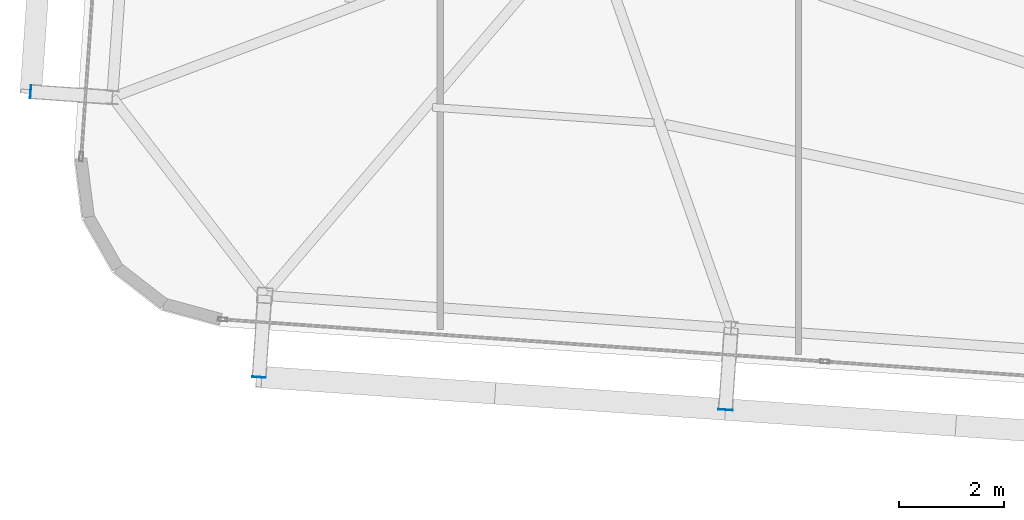
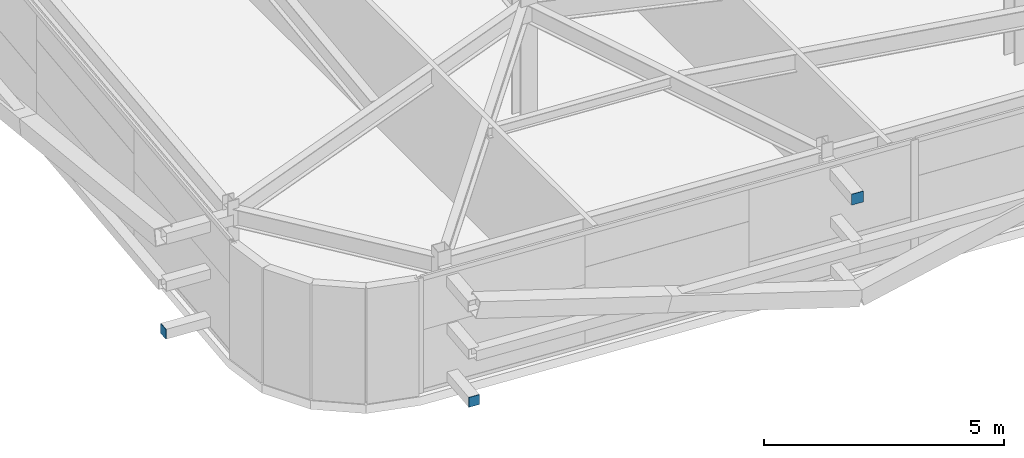
# One storey, part 27 of 39: 3 plates.
"""IFC4 building model written with IfcOpenShell, lengths in metres."""

import ifcopenshell
import ifcopenshell.guid

model = None  # the IFC model being written
_history = None  # IfcOwnerHistory: only IFC2X3 demands one
_inside = {}  # id of a spatial element -> (the spatial element, [elements in it])
_under = {}  # id of a project, library or spatial element -> (it, [spatial elements below it])
_declared = {}  # id of a project -> (the project, [libraries it declares])
_typed = {}  # id of a type object -> (the type object, [elements of that type])
_made_of = {}  # id of a material, layer set ... -> (it, [elements and type objects made of it])


def new_model(schema):
    """Start an empty IFC model of exactly this schema.

    Asked for "IFC4X3", IfcOpenShell would pick the latest addendum, in which some entities
    have other attributes; the version numbers below select the first issue.
    IFC2X3 requires an IfcOwnerHistory on every rooted entity: one is made here for all.
    """
    global model, _history
    if schema == "IFC4X3":
        model = ifcopenshell.file(schema_version=(4, 3, 0, 0))
    else:
        model = ifcopenshell.file(schema=schema)
    _inside.clear()
    _under.clear()
    _declared.clear()
    _typed.clear()
    _made_of.clear()
    _history = None
    if model.schema == "IFC2X3":
        org = make("IfcOrganization", Name="unknown")
        user = make(
            "IfcPersonAndOrganization",
            ThePerson=make("IfcPerson", FamilyName="unknown"),
            TheOrganization=org,
        )
        app = make(
            "IfcApplication",
            ApplicationDeveloper=org,
            Version="unknown",
            ApplicationFullName="unknown",
            ApplicationIdentifier="unknown",
        )
        _history = make(
            "IfcOwnerHistory",
            OwningUser=user,
            OwningApplication=app,
            ChangeAction="ADDED",
            CreationDate=0,
        )
    return model


def make(cls, **values):
    """One entity of the class cls with the attributes given. An attribute that is None is left unset."""
    return model.create_entity(
        cls, **{name: value for name, value in values.items() if value is not None}
    )


def rooted(cls, **values):
    """An entity with a GlobalId (a new one), such as an element, a storey or a relation."""
    return make(cls, GlobalId=ifcopenshell.guid.new(), OwnerHistory=_history, **values)


def si_unit(unit_type, name, prefix=None):
    """IfcSIUnit, for example si_unit("LENGTHUNIT", "METRE", prefix="MILLI")."""
    return make("IfcSIUnit", UnitType=unit_type, Prefix=prefix, Name=name)


def assignment(units):
    """IfcUnitAssignment: the units of a project."""
    return None if units is None else make("IfcUnitAssignment", Units=units)


def point(xyz):
    """IfcCartesianPoint."""
    return None if xyz is None else make("IfcCartesianPoint", Coordinates=xyz)


def direction(xyz):
    """IfcDirection."""
    return None if xyz is None else make("IfcDirection", DirectionRatios=xyz)


def frame(location, z_axis=None, x_axis=None):
    """IfcAxis2Placement3D, a coordinate frame: its origin and axes. An axis left out is left unset."""
    return make(
        "IfcAxis2Placement3D",
        Location=point(location),
        Axis=direction(z_axis),
        RefDirection=direction(x_axis),
    )


def frame_2d(location, x_axis=None):
    """IfcAxis2Placement2D, a coordinate frame in the plane: its origin and x axis."""
    return make(
        "IfcAxis2Placement2D", Location=point(location), RefDirection=direction(x_axis)
    )


def origin():
    """The frame at (0, 0, 0) with its axes left unset."""
    return frame((0.0, 0.0, 0.0))


def origin_2d():
    """The frame at (0, 0) in the plane with its x axis left unset."""
    return frame_2d((0.0, 0.0))


def place(relative_to, where):
    """IfcLocalPlacement: puts the frame where relative to a parent placement (None: the world)."""
    return make(
        "IfcLocalPlacement", PlacementRelTo=relative_to, RelativePlacement=where
    )


def context(
    kind, dimensions, precision=None, world=None, true_north=None, identifier=None
):
    """IfcGeometricRepresentationContext, for example the 3D "Model" context."""
    return make(
        "IfcGeometricRepresentationContext",
        ContextIdentifier=identifier,
        ContextType=kind,
        CoordinateSpaceDimension=dimensions,
        Precision=precision,
        WorldCoordinateSystem=world,
        TrueNorth=true_north,
    )


def subcontext(parent, identifier, kind, view, scale=None):
    """IfcGeometricRepresentationSubContext, for example "Body" below "Model"."""
    return make(
        "IfcGeometricRepresentationSubContext",
        ContextIdentifier=identifier,
        ContextType=kind,
        ParentContext=parent,
        TargetScale=scale,
        TargetView=view,
    )


def project(units=None, contexts=None):
    """IfcProject with its units and contexts."""
    return rooted(
        "IfcProject",
        Name="project",
        RepresentationContexts=contexts,
        UnitsInContext=assignment(units),
    )


def spatial(cls, under=None, at=None, **own):
    """A site, building, storey or space (cls), placed at a placement, below another one or the project."""
    s = rooted(cls, ObjectPlacement=at, **own)
    if under is not None:
        _under.setdefault(under.id(), (under, []))[1].append(s)
    return s


def profile(cls, at=None, kind="AREA", **sizes):
    """A parametric profile (cls). Its sizes go by their IFC names, for example OverallWidth=200.0."""
    return make(cls, ProfileType=kind, Position=at, **sizes)


def rectangle(**sizes):
    """IfcRectangleProfileDef."""
    return profile("IfcRectangleProfileDef", **sizes)


def extrude(swept, where, along, depth):
    """IfcExtrudedAreaSolid: the profile swept, set in the frame where, extruded along a direction by depth."""
    return make(
        "IfcExtrudedAreaSolid",
        SweptArea=swept,
        Position=where,
        ExtrudedDirection=direction(along),
        Depth=depth,
    )


def shape(context_of_items, identifier, shape_type, items):
    """IfcShapeRepresentation: the items that make up one representation, for example the "Body"."""
    return make(
        "IfcShapeRepresentation",
        ContextOfItems=context_of_items,
        RepresentationIdentifier=identifier,
        RepresentationType=shape_type,
        Items=items,
    )


def source(mapping_origin, context_of_items, identifier, shape_type, items):
    """IfcRepresentationMap: a shape defined once, which mapped items show again and again."""
    return make(
        "IfcRepresentationMap",
        MappingOrigin=mapping_origin,
        MappedRepresentation=shape(context_of_items, identifier, shape_type, items),
    )


def transform(
    local_origin,
    x_axis=None,
    y_axis=None,
    z_axis=None,
    scale=None,
    scale2=None,
    scale3=None,
    uniform=True,
):
    """IfcCartesianTransformationOperator3D, or its non-uniform kind. x_axis, y_axis, z_axis: its Axis1, 2, 3."""
    if uniform:
        return make(
            "IfcCartesianTransformationOperator3D",
            Axis1=direction(x_axis),
            Axis2=direction(y_axis),
            LocalOrigin=point(local_origin),
            Scale=scale,
            Axis3=direction(z_axis),
        )
    return make(
        "IfcCartesianTransformationOperator3DnonUniform",
        Axis1=direction(x_axis),
        Axis2=direction(y_axis),
        LocalOrigin=point(local_origin),
        Scale=scale,
        Axis3=direction(z_axis),
        Scale2=scale2,
        Scale3=scale3,
    )


def mapped(mapping_source, mapping_target):
    """IfcMappedItem: shows the shape of a source again, moved by a transform."""
    return make(
        "IfcMappedItem", MappingSource=mapping_source, MappingTarget=mapping_target
    )


def material(Name=None, Category=None):
    """IfcMaterial."""
    return make("IfcMaterial", Name=Name, Category=Category)


def layer(
    of_material, thickness, ventilated=None, Name=None, Category=None, Priority=None
):
    """IfcMaterialLayer: one layer of a wall or slab, of a material (None: an air gap)."""
    return make(
        "IfcMaterialLayer",
        Material=of_material,
        LayerThickness=thickness,
        IsVentilated=ventilated,
        Name=Name,
        Category=Category,
        Priority=Priority,
    )


def layer_set(layers, Name=None):
    """IfcMaterialLayerSet."""
    return make("IfcMaterialLayerSet", MaterialLayers=layers, LayerSetName=Name)


def made_of(thing, what):
    """Note that an element or type object is made of a material, layer set ...; save() writes the relation."""
    if what is not None:
        _made_of.setdefault(what.id(), (what, []))[1].append(thing)
    return thing


def type_object(cls, material=None, **own):
    """A type object (cls), such as IfcWallType, which elements share."""
    return made_of(rooted(cls, **own), material)


def element(
    cls,
    number,
    at=None,
    inside=None,
    cuts=None,
    type_object=None,
    material=None,
    context=None,
    identifier="Body",
    shape_type=None,
    held_by="IfcProductDefinitionShape",
    body=None,
    shapes=None,
    **own,
):
    """One element of the class cls, such as IfcWall. Its Tag is "e" and its number.

    at: its placement. inside: the storey or other place that contains it. cuts: it is an
    opening in that element (IfcRelVoidsElement). A single representation is given by context,
    identifier, shape_type and body (its items); several are given by shapes. held_by: the class
    of the entity that holds the representations. save() writes the other relations.
    """
    e = rooted(cls, Tag="e%d" % number, ObjectPlacement=at, **own)
    if body is not None:
        shapes = [shape(context, identifier, shape_type, body)]
    if shapes is not None:
        e.Representation = make(held_by, Representations=shapes)
    if inside is not None:
        _inside.setdefault(inside.id(), (inside, []))[1].append(e)
    if cuts is not None:
        rooted(
            "IfcRelVoidsElement", RelatingBuildingElement=cuts, RelatedOpeningElement=e
        )
    if type_object is not None:
        _typed.setdefault(type_object.id(), (type_object, []))[1].append(e)
    return made_of(e, material)


def aggregate(whole, parts):
    """IfcRelAggregates: a whole, such as a stair, and the parts it consists of."""
    return rooted("IfcRelAggregates", RelatingObject=whole, RelatedObjects=parts)


def save(model, path):
    """Write the relations noted so far, then the file.

    IfcRelAggregates (storeys below a building ...), IfcRelContainedInSpatialStructure (elements
    in a storey), IfcRelDefinesByType, IfcRelAssociatesMaterial and IfcRelDeclares: one each for
    every whole, place, type object, material and project.
    """
    for whole, parts in _under.values():
        aggregate(whole, parts)
    for where, things in _inside.values():
        rooted(
            "IfcRelContainedInSpatialStructure",
            RelatedElements=things,
            RelatingStructure=where,
        )
    for kind, things in _typed.values():
        rooted("IfcRelDefinesByType", RelatedObjects=things, RelatingType=kind)
    for what, things in _made_of.values():
        rooted("IfcRelAssociatesMaterial", RelatedObjects=things, RelatingMaterial=what)
    for by, libraries in _declared.values():
        rooted("IfcRelDeclares", RelatingContext=by, RelatedDefinitions=libraries)
    model.write(path)


model = new_model("IFC4")

# Units and contexts
model_context = context("Model", 3, precision=1e-05, world=origin(), true_north=direction((0.0, 1.0)))
body_context = subcontext(model_context, "Body", "Model", "MODEL_VIEW")
ifc_project = project(units=[si_unit("LENGTHUNIT", "METRE"), si_unit("AREAUNIT", "SQUARE_METRE"), si_unit("VOLUMEUNIT", "CUBIC_METRE"), si_unit("PLANEANGLEUNIT", "RADIAN"), si_unit("MASSUNIT", "GRAM", prefix="KILO")], contexts=[model_context])

# Site, building, storey
site_placement = place(None, origin())
site = spatial("IfcSite", under=ifc_project, at=site_placement, CompositionType="ELEMENT")
building_placement = place(site_placement, origin())
building = spatial("IfcBuilding", under=site, at=building_placement, Name="Taldren Reach Tower", CompositionType="ELEMENT")
storey_placement = place(building_placement, frame((0.0, 0.0, 136.14990234375)))
storey = spatial("IfcBuildingStorey", under=building, at=storey_placement, Name="L41", CompositionType="ELEMENT", Elevation=136.14990234375)

# Plates
ifc_material_1 = material(Name="Steel Gr 450 (C450L0)", Category="steel")
ifc_layer_1 = layer(ifc_material_1, 0.011962890625)
ifc_layer_set_1 = layer_set([ifc_layer_1], Name="Steel Gr 450 (C450L0)")
plate_type_1 = type_object("IfcPlateType", Name="PL-CAP-275", PredefinedType="SHEET", material=ifc_layer_set_1)
shared_shape_1 = source(origin(), body_context, "Body", "SweptSolid", [
    extrude(rectangle(XDim=0.27490234375, YDim=0.011962890625, at=origin_2d()), origin(), (0.0, 0.0, 1.0), 0.27490234375),
])
plate_1_placement = place(storey_placement, frame((20.61328125, 3.166748046875, 2.5126953125), z_axis=(0.0, 0.0, 1.0), x_axis=(0.99756405026, -0.069756473744, 0.0)))
element("IfcPlate", 1, at=plate_1_placement, inside=storey, type_object=plate_type_1, Name="Tie strut end cap plate B3-S2 L41", PredefinedType="SHEET", context=body_context, shape_type="MappedRepresentation", body=[
    mapped(shared_shape_1, transform((0.0, 0.0, 0.0), scale=1.0)),
])
ifc_material_2 = material(Name="Steel Gr 350 (C350L0)", Category="steel")
ifc_layer_2 = layer(ifc_material_2, 0.011962890625)
ifc_layer_set_2 = layer_set([ifc_layer_2], Name="Steel Gr 350 (C350L0)")
plate_type_2 = type_object("IfcPlateType", Name="PL-CAP-250", PredefinedType="SHEET", material=ifc_layer_set_2)
shared_shape_2 = source(origin(), body_context, "Body", "SweptSolid", [
    extrude(rectangle(XDim=0.25, YDim=0.011962890625, at=origin_2d()), origin(), (0.0, 0.0, 1.0), 0.25),
])
plate_2_placement = place(storey_placement, frame((11.755126953125, 3.7861328125, 0.09521484375), z_axis=(0.0, 0.0, 1.0), x_axis=(0.99756405026, -0.069756473744, 0.0)))
element("IfcPlate", 2, at=plate_2_placement, inside=storey, type_object=plate_type_2, Name="Tie strut end cap plate B3-S1 L41", PredefinedType="SHEET", context=body_context, shape_type="MappedRepresentation", body=[
    mapped(shared_shape_2, transform((0.0, 0.0, 0.0), scale=1.0)),
])
shared_shape_3 = source(origin(), body_context, "Body", "SweptSolid", [
    extrude(rectangle(XDim=0.011962890625, YDim=0.25, at=origin_2d()), origin(), (0.0, 0.0, 1.0), 0.25),
])
plate_3_placement = place(storey_placement, frame((7.416748046875, 9.2080078125, 0.09521484375), z_axis=(0.0, 0.0, 1.0), x_axis=(0.99756405026, -0.069756473744, 0.0)))
element("IfcPlate", 3, at=plate_3_placement, inside=storey, type_object=plate_type_2, Name="Tie strut end cap plate B3-W1 L41", PredefinedType="SHEET", context=body_context, shape_type="MappedRepresentation", body=[
    mapped(shared_shape_3, transform((0.0, 0.0, 0.0), scale=1.0)),
])

save(model, "model.ifc")
